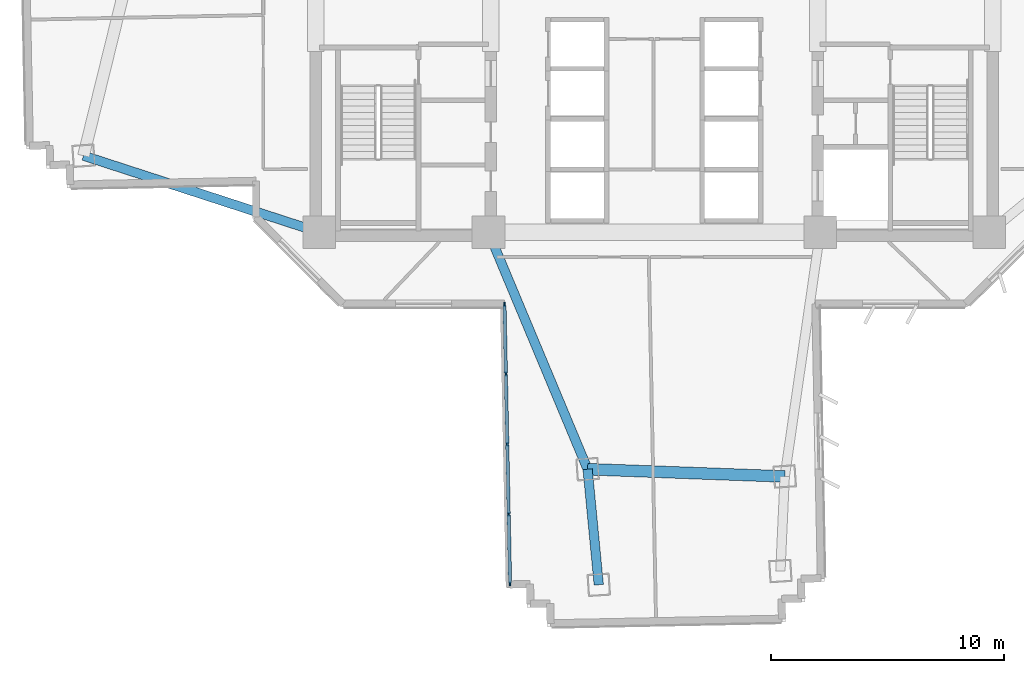
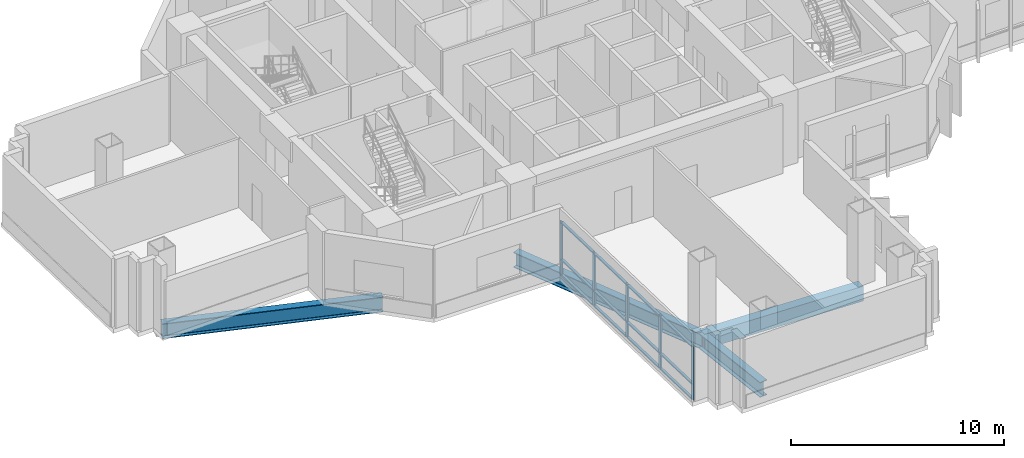
# One storey, part 2 of 15: 17 members, 4 beams, 1 element without a shape of its own.
"""IFC4 building model written with IfcOpenShell, lengths in metres."""

from ifc_helpers import new_model, si_unit, direction, frame, origin, origin_2d, place, context, subcontext, project, spatial, rectangle, i_section, extrude, source, transform, mapped, material, layer, layer_set, material_profile, profile_set, type_object, element, aggregate, save


model = new_model("IFC4")

# Units and contexts
model_context = context("Model", 3, precision=1e-05, world=origin(), true_north=direction((0.0, 1.0)))
body_context = subcontext(model_context, "Body", "Model", "MODEL_VIEW")
ifc_project = project(units=[si_unit("LENGTHUNIT", "METRE"), si_unit("AREAUNIT", "SQUARE_METRE"), si_unit("VOLUMEUNIT", "CUBIC_METRE"), si_unit("PLANEANGLEUNIT", "RADIAN"), si_unit("MASSUNIT", "GRAM", prefix="KILO")], contexts=[model_context])

# Site, building, storey
site_placement = place(None, origin())
site = spatial("IfcSite", under=ifc_project, at=site_placement, CompositionType="ELEMENT")
building_placement = place(site_placement, origin())
building = spatial("IfcBuilding", under=site, at=building_placement, Name="Zahravan Cultural Tower", CompositionType="ELEMENT")
storey_placement = place(building_placement, frame((0.0, 0.0, 45.89990234375)))
storey = spatial("IfcBuildingStorey", under=building, at=storey_placement, Name="L09", CompositionType="ELEMENT", Elevation=45.89990234375)

# Beams
ifc_material_1 = material(Name="Concrete C50/60", Category="concrete")
ifc_material_profile_1 = material_profile(ifc_material_1, rectangle(XDim=0.5, YDim=0.85009765625, at=origin_2d()), Name="RC500X850")
ifc_profile_set_1 = profile_set([ifc_material_profile_1], Name="Concrete C50/60")
beam_type_1 = type_object("IfcBeamType", Name="BM-SP-RC500X850", PredefinedType="SPANDREL", material=ifc_profile_set_1)
shared_shape_1 = source(origin(), body_context, "Body", "SweptSolid", [
    extrude(rectangle(XDim=0.5, YDim=0.85009765625, at=origin_2d()), origin(), (0.0, 0.0, 1.0), 8.4482421875),
])
beam_1_placement = place(storey_placement, frame((33.142578125, 7.653564453125, -0.6748046875), z_axis=(0.999318826256, -0.036903705643, 0.0), x_axis=(0.036903705643, 0.999318826256, 0.0)))
element("IfcBeam", 1, at=beam_1_placement, inside=storey, type_object=beam_type_1, Name="L09 Beam SP-L09-19", PredefinedType="SPANDREL", context=body_context, shape_type="MappedRepresentation", body=[
    mapped(shared_shape_1, transform((0.0, 0.0, 0.0), x_axis=(1.0, 0.0, 0.0), y_axis=(0.0, 1.0, 0.0), z_axis=(0.0, 0.0, 1.0), scale=1.0)),
])
ifc_material_2 = material(Name="Steel ASTM A992 Grade 50", Category="steel")
ifc_material_profile_2 = material_profile(ifc_material_2, i_section(OverallWidth=0.39990234375, OverallDepth=0.862060546875, WebThickness=0.019775390625, FlangeThickness=0.032470703125, FilletRadius=0.02001953125, at=origin_2d()), Name="W33X221")
ifc_profile_set_2 = profile_set([ifc_material_profile_2], Name="Steel ASTM A992 Grade 50")
beam_type_2 = type_object("IfcBeamType", Name="BM-G-W33X221", PredefinedType="BEAM", material=ifc_profile_set_2)
shared_shape_2 = source(origin(), body_context, "Body", "SweptSolid", [
    extrude(i_section(OverallWidth=0.39990234375, OverallDepth=0.862060546875, WebThickness=0.019775390625, FlangeThickness=0.032470703125, FilletRadius=0.02001953125, at=origin_2d()), origin(), (0.0, 0.0, 1.0), 10.615966796875),
])
beam_2_placement = place(storey_placement, frame((21.64990234375, 17.800048828125, -0.680908203125), z_axis=(-0.951063640083, 0.30899506875, 0.0), x_axis=(-0.30899506875, -0.951063640083, 0.0)))
element("IfcBeam", 2, at=beam_2_placement, inside=storey, type_object=beam_type_2, Name="L09 Beam BG-L09-07", PredefinedType="BEAM", context=body_context, shape_type="MappedRepresentation", body=[
    mapped(shared_shape_2, transform((0.0, 0.0, 0.0), x_axis=(1.0, 0.0, 0.0), y_axis=(0.0, 1.0, 0.0), z_axis=(0.0, 0.0, 1.0), scale=1.0)),
])
shared_shape_3 = source(origin(), body_context, "Body", "SweptSolid", [
    extrude(i_section(OverallWidth=0.39990234375, OverallDepth=0.862060546875, WebThickness=0.019775390625, FlangeThickness=0.032470703125, FilletRadius=0.02001953125, at=origin_2d()), origin(), (0.0, 0.0, 1.0), 10.997802734375),
])
beam_3_placement = place(storey_placement, frame((28.89990234375, 17.800048828125, -0.680908203125), z_axis=(0.385775211449, -0.922592806297, 0.0), x_axis=(0.922592806297, 0.385775211449, 0.0)))
element("IfcBeam", 3, at=beam_3_placement, inside=storey, type_object=beam_type_2, Name="L09 Beam BG-L09-08", PredefinedType="BEAM", context=body_context, shape_type="MappedRepresentation", body=[
    mapped(shared_shape_3, transform((0.0, 0.0, 0.0), x_axis=(1.0, 0.0, 0.0), y_axis=(0.0, 1.0, 0.0), z_axis=(0.0, 0.0, 1.0), scale=1.0)),
])
shared_shape_4 = source(origin(), body_context, "Body", "SweptSolid", [
    extrude(i_section(OverallWidth=0.39990234375, OverallDepth=0.862060546875, WebThickness=0.019775390625, FlangeThickness=0.032470703125, FilletRadius=0.02001953125, at=origin_2d()), origin(), (0.0, 0.0, 1.0), 4.973876953125),
])
beam_4_placement = place(storey_placement, frame((33.142578125, 7.653564453125, -0.680908203125), z_axis=(0.096154779131, -0.995366394073, 0.0), x_axis=(0.995366394073, 0.096154779131, 0.0)))
element("IfcBeam", 4, at=beam_4_placement, inside=storey, type_object=beam_type_2, Name="L09 Beam BG-L09-17", PredefinedType="BEAM", context=body_context, shape_type="MappedRepresentation", body=[
    mapped(shared_shape_4, transform((0.0, 0.0, 0.0), x_axis=(1.0, 0.0, 0.0), y_axis=(0.0, 1.0, 0.0), z_axis=(0.0, 0.0, 1.0), scale=1.0)),
])

# Curtain wall, members
ifc_material_3 = material(Name="Anodised bronze-aluminium mullion", Category="aluminium")
ifc_layer = layer(ifc_material_3, 0.179931640625)
ifc_layer_set = layer_set([ifc_layer], Name="Anodised bronze-aluminium mullion")
curtain_wall_type = type_object("IfcCurtainWallType", Name="CW-SYS-3", PredefinedType="USERDEFINED", material=ifc_layer_set)
curtain_wall_placement = place(storey_placement, origin())
curtain_wall = element("IfcCurtainWall", 5, at=curtain_wall_placement, inside=storey, type_object=curtain_wall_type, Name="L09 Recessed Curtain Wall CW-3.1", ObjectType="RECESSED GLAZING", PredefinedType="USERDEFINED")
ifc_material_profile_3 = material_profile(ifc_material_3, rectangle(XDim=0.070068359375, YDim=0.179931640625, at=origin_2d()), Name="AL-M70X180")
ifc_profile_set_3 = profile_set([ifc_material_profile_3], Name="Anodised bronze-aluminium mullion")
member_type_1 = type_object("IfcMemberType", Name="CWM-CW-3", PredefinedType="MULLION", material=ifc_profile_set_3)
shared_shape_5 = source(origin(), body_context, "Body", "SweptSolid", [
    extrude(rectangle(XDim=0.070068359375, YDim=0.179931640625, at=origin_2d()), origin(), (0.0, 0.0, 1.0), 3.070068359375),
])
member_1_placement = place(storey_placement, frame((29.8212890625, 2.747314453125, 0.0), z_axis=(0.0, 0.0, 1.0), x_axis=(-0.999801973139, -0.019900113269, 0.0)))
member_1 = element("IfcMember", 6, at=member_1_placement, type_object=member_type_1, Name="CW-3 mullion 1", PredefinedType="MULLION", context=body_context, shape_type="MappedRepresentation", body=[
    mapped(shared_shape_5, transform((0.0, 0.0, 0.0), x_axis=(1.0, 0.0, 0.0), y_axis=(0.0, 1.0, 0.0), z_axis=(0.0, 0.0, 1.0), scale=1.0)),
])
member_2_placement = place(storey_placement, frame((29.76220703125, 5.71923828125, 0.0), z_axis=(0.0, 0.0, 1.0), x_axis=(-0.999801973139, -0.019900113269, 0.0)))
member_2 = element("IfcMember", 7, at=member_2_placement, type_object=member_type_1, Name="CW-3 mullion 2", PredefinedType="MULLION", context=body_context, shape_type="MappedRepresentation", body=[
    mapped(shared_shape_5, transform((0.0, 0.0, 0.0), x_axis=(1.0, 0.0, 0.0), y_axis=(0.0, 1.0, 0.0), z_axis=(0.0, 0.0, 1.0), scale=1.0)),
])
member_3_placement = place(storey_placement, frame((29.702392578125, 8.72607421875, 0.0), z_axis=(0.0, 0.0, 1.0), x_axis=(-0.999801973139, -0.019900113269, 0.0)))
member_3 = element("IfcMember", 8, at=member_3_placement, type_object=member_type_1, Name="CW-3 mullion 3", PredefinedType="MULLION", context=body_context, shape_type="MappedRepresentation", body=[
    mapped(shared_shape_5, transform((0.0, 0.0, 0.0), x_axis=(1.0, 0.0, 0.0), y_axis=(0.0, 1.0, 0.0), z_axis=(0.0, 0.0, 1.0), scale=1.0)),
])
member_4_placement = place(storey_placement, frame((29.642333984375, 11.733154296875, 0.0), z_axis=(0.0, 0.0, 1.0), x_axis=(-0.999801973139, -0.019900113269, 0.0)))
member_4 = element("IfcMember", 9, at=member_4_placement, type_object=member_type_1, Name="CW-3 mullion 4", PredefinedType="MULLION", context=body_context, shape_type="MappedRepresentation", body=[
    mapped(shared_shape_5, transform((0.0, 0.0, 0.0), x_axis=(1.0, 0.0, 0.0), y_axis=(0.0, 1.0, 0.0), z_axis=(0.0, 0.0, 1.0), scale=1.0)),
])
member_5_placement = place(storey_placement, frame((29.583251953125, 14.705078125, 0.0), z_axis=(0.0, 0.0, 1.0), x_axis=(-0.999801973139, -0.019900113269, 0.0)))
member_5 = element("IfcMember", 10, at=member_5_placement, type_object=member_type_1, Name="CW-3 mullion 5", PredefinedType="MULLION", context=body_context, shape_type="MappedRepresentation", body=[
    mapped(shared_shape_5, transform((0.0, 0.0, 0.0), x_axis=(1.0, 0.0, 0.0), y_axis=(0.0, 1.0, 0.0), z_axis=(0.0, 0.0, 1.0), scale=1.0)),
])
ifc_material_profile_4 = material_profile(ifc_material_3, rectangle(XDim=0.139892578125, YDim=0.070068359375, at=origin_2d()), Name="AL-T70X140")
ifc_profile_set_4 = profile_set([ifc_material_profile_4], Name="Anodised bronze-aluminium mullion")
member_type_2 = type_object("IfcMemberType", Name="CWT-CW-3", PredefinedType="USERDEFINED", material=ifc_profile_set_4)
shared_shape_6 = source(origin(), body_context, "Body", "SweptSolid", [
    extrude(rectangle(XDim=0.139892578125, YDim=0.070068359375, at=origin_2d()), origin(), (0.0, 0.0, 1.0), 2.902587890625),
])
member_6_placement = place(storey_placement, frame((29.820556640625, 2.7822265625, 0.03515625), z_axis=(-0.019849709946, 0.999802975098, 0.0), x_axis=(-0.999802975098, -0.019849709946, 0.0)))
member_6 = element("IfcMember", 11, at=member_6_placement, type_object=member_type_2, Name="CW-3 transom 1.1", ObjectType="TRANSOM", PredefinedType="USERDEFINED", context=body_context, shape_type="MappedRepresentation", body=[
    mapped(shared_shape_6, transform((0.0, 0.0, 0.0), x_axis=(1.0, 0.0, 0.0), y_axis=(0.0, 1.0, 0.0), z_axis=(0.0, 0.0, 1.0), scale=1.0)),
])
member_7_placement = place(storey_placement, frame((29.820556640625, 2.7822265625, 0.900146484375), z_axis=(-0.019849709946, 0.999802975098, 0.0), x_axis=(-0.999802975098, -0.019849709946, 0.0)))
member_7 = element("IfcMember", 12, at=member_7_placement, type_object=member_type_2, Name="CW-3 transom 1.2", ObjectType="TRANSOM", PredefinedType="USERDEFINED", context=body_context, shape_type="MappedRepresentation", body=[
    mapped(shared_shape_6, transform((0.0, 0.0, 0.0), x_axis=(1.0, 0.0, 0.0), y_axis=(0.0, 1.0, 0.0), z_axis=(0.0, 0.0, 1.0), scale=1.0)),
])
member_8_placement = place(storey_placement, frame((29.820556640625, 2.7822265625, 3.03515625), z_axis=(-0.019849709946, 0.999802975098, 0.0), x_axis=(-0.999802975098, -0.019849709946, 0.0)))
member_8 = element("IfcMember", 13, at=member_8_placement, type_object=member_type_2, Name="CW-3 transom 1.3", ObjectType="TRANSOM", PredefinedType="USERDEFINED", context=body_context, shape_type="MappedRepresentation", body=[
    mapped(shared_shape_6, transform((0.0, 0.0, 0.0), x_axis=(1.0, 0.0, 0.0), y_axis=(0.0, 1.0, 0.0), z_axis=(0.0, 0.0, 1.0), scale=1.0)),
])
shared_shape_7 = source(origin(), body_context, "Body", "SweptSolid", [
    extrude(rectangle(XDim=0.139892578125, YDim=0.070068359375, at=origin_2d()), origin(), (0.0, 0.0, 1.0), 2.9375),
])
member_9_placement = place(storey_placement, frame((29.761474609375, 5.754150390625, 0.03515625), z_axis=(-0.019946155724, 0.999801055646, 0.0), x_axis=(-0.999801055646, -0.019946155724, 0.0)))
member_9 = element("IfcMember", 14, at=member_9_placement, type_object=member_type_2, Name="CW-3 transom 2.1", ObjectType="TRANSOM", PredefinedType="USERDEFINED", context=body_context, shape_type="MappedRepresentation", body=[
    mapped(shared_shape_7, transform((0.0, 0.0, 0.0), x_axis=(1.0, 0.0, 0.0), y_axis=(0.0, 1.0, 0.0), z_axis=(0.0, 0.0, 1.0), scale=1.0)),
])
member_10_placement = place(storey_placement, frame((29.761474609375, 5.754150390625, 0.900146484375), z_axis=(-0.019946155724, 0.999801055646, 0.0), x_axis=(-0.999801055646, -0.019946155724, 0.0)))
member_10 = element("IfcMember", 15, at=member_10_placement, type_object=member_type_2, Name="CW-3 transom 2.2", ObjectType="TRANSOM", PredefinedType="USERDEFINED", context=body_context, shape_type="MappedRepresentation", body=[
    mapped(shared_shape_7, transform((0.0, 0.0, 0.0), x_axis=(1.0, 0.0, 0.0), y_axis=(0.0, 1.0, 0.0), z_axis=(0.0, 0.0, 1.0), scale=1.0)),
])
member_11_placement = place(storey_placement, frame((29.761474609375, 5.754150390625, 3.03515625), z_axis=(-0.019946155724, 0.999801055646, 0.0), x_axis=(-0.999801055646, -0.019946155724, 0.0)))
member_11 = element("IfcMember", 16, at=member_11_placement, type_object=member_type_2, Name="CW-3 transom 2.3", ObjectType="TRANSOM", PredefinedType="USERDEFINED", context=body_context, shape_type="MappedRepresentation", body=[
    mapped(shared_shape_7, transform((0.0, 0.0, 0.0), x_axis=(1.0, 0.0, 0.0), y_axis=(0.0, 1.0, 0.0), z_axis=(0.0, 0.0, 1.0), scale=1.0)),
])
shared_shape_8 = source(origin(), body_context, "Body", "SweptSolid", [
    extrude(rectangle(XDim=0.139892578125, YDim=0.070068359375, at=origin_2d()), origin(), (0.0, 0.0, 1.0), 2.937255859375),
])
member_12_placement = place(storey_placement, frame((29.70166015625, 8.76123046875, 0.03515625), z_axis=(-0.019947813236, 0.999801022578, 0.0), x_axis=(-0.999801022578, -0.019947813236, 0.0)))
member_12 = element("IfcMember", 17, at=member_12_placement, type_object=member_type_2, Name="CW-3 transom 3.1", ObjectType="TRANSOM", PredefinedType="USERDEFINED", context=body_context, shape_type="MappedRepresentation", body=[
    mapped(shared_shape_8, transform((0.0, 0.0, 0.0), x_axis=(1.0, 0.0, 0.0), y_axis=(0.0, 1.0, 0.0), z_axis=(0.0, 0.0, 1.0), scale=1.0)),
])
member_13_placement = place(storey_placement, frame((29.70166015625, 8.76123046875, 0.900146484375), z_axis=(-0.019947813236, 0.999801022578, 0.0), x_axis=(-0.999801022578, -0.019947813236, 0.0)))
member_13 = element("IfcMember", 18, at=member_13_placement, type_object=member_type_2, Name="CW-3 transom 3.2", ObjectType="TRANSOM", PredefinedType="USERDEFINED", context=body_context, shape_type="MappedRepresentation", body=[
    mapped(shared_shape_8, transform((0.0, 0.0, 0.0), x_axis=(1.0, 0.0, 0.0), y_axis=(0.0, 1.0, 0.0), z_axis=(0.0, 0.0, 1.0), scale=1.0)),
])
member_14_placement = place(storey_placement, frame((29.70166015625, 8.76123046875, 3.03515625), z_axis=(-0.019947813236, 0.999801022578, 0.0), x_axis=(-0.999801022578, -0.019947813236, 0.0)))
member_14 = element("IfcMember", 19, at=member_14_placement, type_object=member_type_2, Name="CW-3 transom 3.3", ObjectType="TRANSOM", PredefinedType="USERDEFINED", context=body_context, shape_type="MappedRepresentation", body=[
    mapped(shared_shape_8, transform((0.0, 0.0, 0.0), x_axis=(1.0, 0.0, 0.0), y_axis=(0.0, 1.0, 0.0), z_axis=(0.0, 0.0, 1.0), scale=1.0)),
])
shared_shape_9 = source(origin(), body_context, "Body", "SweptSolid", [
    extrude(rectangle(XDim=0.139892578125, YDim=0.070068359375, at=origin_2d()), origin(), (0.0, 0.0, 1.0), 2.90234375),
])
member_15_placement = place(storey_placement, frame((29.641845703125, 11.76806640625, 0.03515625), z_axis=(-0.01993546195, 0.999801268931, 0.0), x_axis=(-0.999801268931, -0.01993546195, 0.0)))
member_15 = element("IfcMember", 20, at=member_15_placement, type_object=member_type_2, Name="CW-3 transom 4.1", ObjectType="TRANSOM", PredefinedType="USERDEFINED", context=body_context, shape_type="MappedRepresentation", body=[
    mapped(shared_shape_9, transform((0.0, 0.0, 0.0), x_axis=(1.0, 0.0, 0.0), y_axis=(0.0, 1.0, 0.0), z_axis=(0.0, 0.0, 1.0), scale=1.0)),
])
member_16_placement = place(storey_placement, frame((29.641845703125, 11.76806640625, 0.900146484375), z_axis=(-0.01993546195, 0.999801268931, 0.0), x_axis=(-0.999801268931, -0.01993546195, 0.0)))
member_16 = element("IfcMember", 21, at=member_16_placement, type_object=member_type_2, Name="CW-3 transom 4.2", ObjectType="TRANSOM", PredefinedType="USERDEFINED", context=body_context, shape_type="MappedRepresentation", body=[
    mapped(shared_shape_9, transform((0.0, 0.0, 0.0), x_axis=(1.0, 0.0, 0.0), y_axis=(0.0, 1.0, 0.0), z_axis=(0.0, 0.0, 1.0), scale=1.0)),
])
member_17_placement = place(storey_placement, frame((29.641845703125, 11.76806640625, 3.03515625), z_axis=(-0.01993546195, 0.999801268931, 0.0), x_axis=(-0.999801268931, -0.01993546195, 0.0)))
member_17 = element("IfcMember", 22, at=member_17_placement, type_object=member_type_2, Name="CW-3 transom 4.3", ObjectType="TRANSOM", PredefinedType="USERDEFINED", context=body_context, shape_type="MappedRepresentation", body=[
    mapped(shared_shape_9, transform((0.0, 0.0, 0.0), x_axis=(1.0, 0.0, 0.0), y_axis=(0.0, 1.0, 0.0), z_axis=(0.0, 0.0, 1.0), scale=1.0)),
])
aggregate(curtain_wall, [member_1, member_2, member_3, member_4, member_5, member_6, member_7, member_8, member_9, member_10, member_11, member_12, member_13, member_14, member_15, member_16, member_17])

save(model, "model.ifc")
